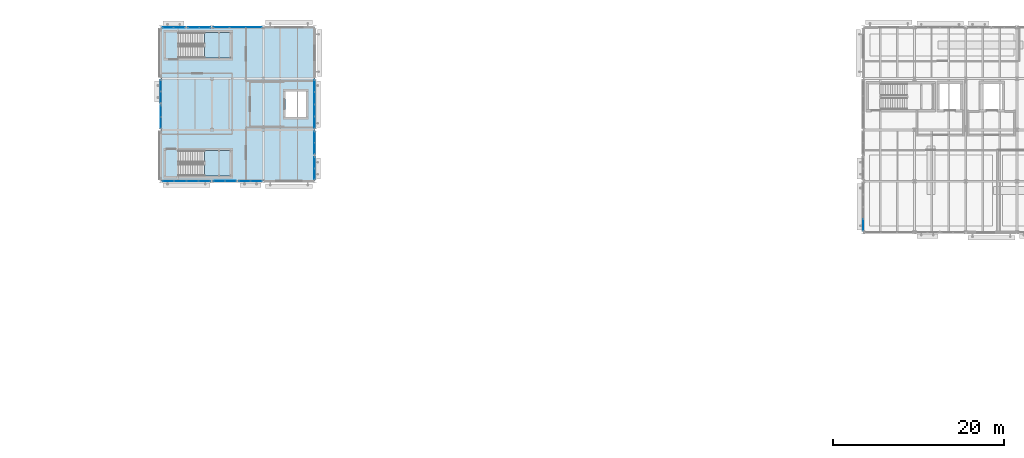
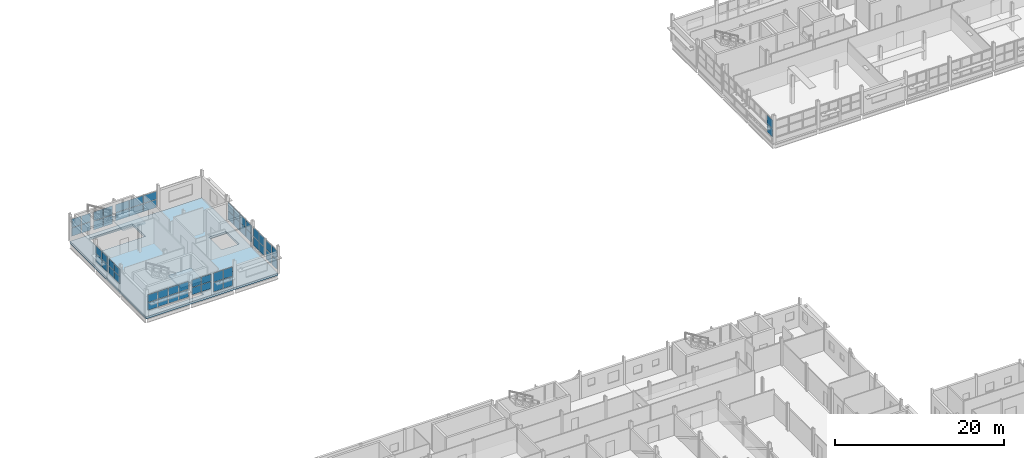
# One storey, part 48 of 92: 56 plates, 3 slabs, 14 elements without a shape of their own.
"""IFC4 building model written with IfcOpenShell, lengths in metres."""

from ifc_helpers import new_model, si_unit, direction, frame, origin, origin_2d, place, context, subcontext, project, spatial, polyline, rectangle, outline, extrude, material, layer, layer_set, type_object, element, aggregate, save


model = new_model("IFC4")

# Units and contexts
model_context = context("Model", 3, precision=1e-05, world=origin(), true_north=direction((0.0, 1.0)))
body_context = subcontext(model_context, "Body", "Model", "MODEL_VIEW")
ifc_project = project(units=[si_unit("LENGTHUNIT", "METRE"), si_unit("AREAUNIT", "SQUARE_METRE"), si_unit("VOLUMEUNIT", "CUBIC_METRE"), si_unit("PLANEANGLEUNIT", "RADIAN"), si_unit("MASSUNIT", "GRAM", prefix="KILO")], contexts=[model_context])

# Site, building, storey
site_placement = place(None, origin())
site = spatial("IfcSite", under=ifc_project, at=site_placement, CompositionType="ELEMENT")
building_placement = place(site_placement, origin())
building = spatial("IfcBuilding", under=site, at=building_placement, Name="Siltcreek Boulevard Central Fire Station", CompositionType="ELEMENT")
storey_placement = place(building_placement, frame((0.0, 0.0, 6.0)))
storey = spatial("IfcBuildingStorey", under=building, at=storey_placement, Name="L02", CompositionType="ELEMENT", Elevation=6.0)

# Curtain wall, plates
ifc_material_1 = material(Name="Anodized aluminum and low-E insulated glazing", Category="aluminium")
curtain_wall_type_1 = type_object("IfcCurtainWallType", Name="CW_SYS_07", PredefinedType="USERDEFINED", material=ifc_material_1)
curtain_wall_1_placement = place(storey_placement, origin())
curtain_wall_1 = element("IfcCurtainWall", 1, at=curtain_wall_1_placement, inside=storey, type_object=curtain_wall_type_1, Name="L02 V3 unitised curtain wall CW-036", ObjectType="CURTAIN WALL", PredefinedType="USERDEFINED")
ifc_material_2 = material(Name="Low-E double insulated glass unit", Category="glass")
ifc_layer_1 = layer(ifc_material_2, 0.028076171875, Name="Low-E double insulated glass unit")
ifc_layer_set_1 = layer_set([ifc_layer_1], Name="Low-E double insulated glass unit")
plate_type_1 = type_object("IfcPlateType", Name="CWP_GLZ_1", PredefinedType="CURTAIN_PANEL", material=ifc_layer_set_1)
plate_1_placement = place(storey_placement, frame((51.8349609375, 94.199951171875, 0.384765625), z_axis=(0.0, 0.0, 1.0), x_axis=(1.0, 0.0, 0.0)))
plate_1 = element("IfcPlate", 2, at=plate_1_placement, type_object=plate_type_1, Name="CW-036 panel 1.1", PredefinedType="CURTAIN_PANEL", context=body_context, shape_type="SweptSolid", body=[
    extrude(rectangle(XDim=1.260009765625, YDim=0.028076171875, at=origin_2d()), origin(), (0.0, 0.0, 1.0), 1.319091796875),
])
plate_2_placement = place(storey_placement, frame((51.8349609375, 94.199951171875, 1.76904296875), z_axis=(0.0, 0.0, 1.0), x_axis=(1.0, 0.0, 0.0)))
plate_2 = element("IfcPlate", 3, at=plate_2_placement, type_object=plate_type_1, Name="CW-036 panel 1.2", PredefinedType="CURTAIN_PANEL", context=body_context, shape_type="SweptSolid", body=[
    extrude(rectangle(XDim=1.260009765625, YDim=0.028076171875, at=origin_2d()), origin(), (0.0, 0.0, 1.0), 1.319091796875),
])
plate_3_placement = place(storey_placement, frame((53.159912109375, 94.199951171875, 0.384765625), z_axis=(0.0, 0.0, 1.0), x_axis=(1.0, 0.0, 0.0)))
plate_3 = element("IfcPlate", 4, at=plate_3_placement, type_object=plate_type_1, Name="CW-036 panel 2.1", PredefinedType="CURTAIN_PANEL", context=body_context, shape_type="SweptSolid", body=[
    extrude(rectangle(XDim=1.260009765625, YDim=0.028076171875, at=origin_2d()), origin(), (0.0, 0.0, 1.0), 1.319091796875),
])
plate_4_placement = place(storey_placement, frame((53.159912109375, 94.199951171875, 1.76904296875), z_axis=(0.0, 0.0, 1.0), x_axis=(1.0, 0.0, 0.0)))
plate_4 = element("IfcPlate", 5, at=plate_4_placement, type_object=plate_type_1, Name="CW-036 panel 2.2", PredefinedType="CURTAIN_PANEL", context=body_context, shape_type="SweptSolid", body=[
    extrude(rectangle(XDim=1.260009765625, YDim=0.028076171875, at=origin_2d()), origin(), (0.0, 0.0, 1.0), 1.319091796875),
])
aggregate(curtain_wall_1, [plate_1, plate_2, plate_3, plate_4])

curtain_wall_type_2 = type_object("IfcCurtainWallType", Name="CW_SYS_10", PredefinedType="USERDEFINED", material=ifc_material_1)
curtain_wall_2_placement = place(storey_placement, origin())
curtain_wall_2 = element("IfcCurtainWall", 6, at=curtain_wall_2_placement, inside=storey, type_object=curtain_wall_type_2, Name="L02 V3 unitised curtain wall CW-039", ObjectType="CURTAIN WALL", PredefinedType="USERDEFINED")
plate_5_placement = place(storey_placement, frame((52.888427734375, 112.199951171875, 0.739990234375), z_axis=(0.0, 0.0, 1.0), x_axis=(-1.0, 0.0, 0.0)))
plate_5 = element("IfcPlate", 7, at=plate_5_placement, type_object=plate_type_1, Name="CW-039 panel 1.1", PredefinedType="CURTAIN_PANEL", context=body_context, shape_type="SweptSolid", body=[
    extrude(rectangle(XDim=1.813232421875, YDim=0.028076171875, at=origin_2d()), origin(), (0.0, 0.0, 1.0), 1.146484375),
])
plate_6_placement = place(storey_placement, frame((52.888427734375, 112.199951171875, 1.946533203125), z_axis=(0.0, 0.0, 1.0), x_axis=(-1.0, 0.0, 0.0)))
plate_6 = element("IfcPlate", 8, at=plate_6_placement, type_object=plate_type_1, Name="CW-039 panel 1.2", PredefinedType="CURTAIN_PANEL", context=body_context, shape_type="SweptSolid", body=[
    extrude(rectangle(XDim=1.813232421875, YDim=0.028076171875, at=origin_2d()), origin(), (0.0, 0.0, 1.0), 1.146484375),
])
plate_7_placement = place(storey_placement, frame((51.0, 112.199951171875, 0.739990234375), z_axis=(0.0, 0.0, 1.0), x_axis=(-1.0, 0.0, 0.0)))
plate_7 = element("IfcPlate", 9, at=plate_7_placement, type_object=plate_type_1, Name="CW-039 panel 2.1", PredefinedType="CURTAIN_PANEL", context=body_context, shape_type="SweptSolid", body=[
    extrude(rectangle(XDim=1.84326171875, YDim=0.028076171875, at=origin_2d()), origin(), (0.0, 0.0, 1.0), 1.146484375),
])
plate_8_placement = place(storey_placement, frame((51.0, 112.199951171875, 1.946533203125), z_axis=(0.0, 0.0, 1.0), x_axis=(-1.0, 0.0, 0.0)))
plate_8 = element("IfcPlate", 10, at=plate_8_placement, type_object=plate_type_1, Name="CW-039 panel 2.2", PredefinedType="CURTAIN_PANEL", context=body_context, shape_type="SweptSolid", body=[
    extrude(rectangle(XDim=1.84326171875, YDim=0.028076171875, at=origin_2d()), origin(), (0.0, 0.0, 1.0), 1.146484375),
])
plate_9_placement = place(storey_placement, frame((49.111572265625, 112.199951171875, 0.739990234375), z_axis=(0.0, 0.0, 1.0), x_axis=(-1.0, 0.0, 0.0)))
plate_9 = element("IfcPlate", 11, at=plate_9_placement, type_object=plate_type_1, Name="CW-039 panel 3.1", PredefinedType="CURTAIN_PANEL", context=body_context, shape_type="SweptSolid", body=[
    extrude(rectangle(XDim=1.813232421875, YDim=0.028076171875, at=origin_2d()), origin(), (0.0, 0.0, 1.0), 1.146484375),
])
plate_10_placement = place(storey_placement, frame((49.111572265625, 112.199951171875, 1.946533203125), z_axis=(0.0, 0.0, 1.0), x_axis=(-1.0, 0.0, 0.0)))
plate_10 = element("IfcPlate", 12, at=plate_10_placement, type_object=plate_type_1, Name="CW-039 panel 3.2", PredefinedType="CURTAIN_PANEL", context=body_context, shape_type="SweptSolid", body=[
    extrude(rectangle(XDim=1.813232421875, YDim=0.028076171875, at=origin_2d()), origin(), (0.0, 0.0, 1.0), 1.146484375),
])
aggregate(curtain_wall_2, [plate_5, plate_6, plate_7, plate_8, plate_9, plate_10])

curtain_wall_type_3 = type_object("IfcCurtainWallType", Name="CW_SYS_13", PredefinedType="USERDEFINED", material=ifc_material_1)
curtain_wall_3_placement = place(storey_placement, origin())
curtain_wall_3 = element("IfcCurtainWall", 13, at=curtain_wall_3_placement, inside=storey, type_object=curtain_wall_type_3, Name="L02 V3 unitised curtain wall CW-042", ObjectType="CURTAIN WALL", PredefinedType="USERDEFINED")
plate_11_placement = place(storey_placement, frame((60.0, 95.0400390625, 0.384765625), z_axis=(0.0, 0.0, 1.0), x_axis=(0.0, 1.0, 0.0)))
plate_11 = element("IfcPlate", 14, at=plate_11_placement, type_object=plate_type_1, Name="CW-042 panel 1.1", PredefinedType="CURTAIN_PANEL", context=body_context, shape_type="SweptSolid", body=[
    extrude(rectangle(XDim=1.260009765625, YDim=0.028076171875, at=origin_2d()), origin(), (0.0, 0.0, 1.0), 1.321044921875),
])
plate_12_placement = place(storey_placement, frame((60.0, 95.0400390625, 1.77099609375), z_axis=(0.0, 0.0, 1.0), x_axis=(0.0, 1.0, 0.0)))
plate_12 = element("IfcPlate", 15, at=plate_12_placement, type_object=plate_type_1, Name="CW-042 panel 1.2", PredefinedType="CURTAIN_PANEL", context=body_context, shape_type="SweptSolid", body=[
    extrude(rectangle(XDim=1.260009765625, YDim=0.028076171875, at=origin_2d()), origin(), (0.0, 0.0, 1.0), 1.321044921875),
])
plate_13_placement = place(storey_placement, frame((60.0, 96.364990234375, 0.384765625), z_axis=(0.0, 0.0, 1.0), x_axis=(0.0, 1.0, 0.0)))
plate_13 = element("IfcPlate", 16, at=plate_13_placement, type_object=plate_type_1, Name="CW-042 panel 2.1", PredefinedType="CURTAIN_PANEL", context=body_context, shape_type="SweptSolid", body=[
    extrude(rectangle(XDim=1.260009765625, YDim=0.028076171875, at=origin_2d()), origin(), (0.0, 0.0, 1.0), 1.321044921875),
])
plate_14_placement = place(storey_placement, frame((60.0, 96.364990234375, 1.77099609375), z_axis=(0.0, 0.0, 1.0), x_axis=(0.0, 1.0, 0.0)))
plate_14 = element("IfcPlate", 17, at=plate_14_placement, type_object=plate_type_1, Name="CW-042 panel 2.2", PredefinedType="CURTAIN_PANEL", context=body_context, shape_type="SweptSolid", body=[
    extrude(rectangle(XDim=1.260009765625, YDim=0.028076171875, at=origin_2d()), origin(), (0.0, 0.0, 1.0), 1.321044921875),
])
aggregate(curtain_wall_3, [plate_11, plate_12, plate_13, plate_14])

curtain_wall_type_4 = type_object("IfcCurtainWallType", Name="CW_SYS_05", PredefinedType="USERDEFINED", material=ifc_material_1)
curtain_wall_4_placement = place(storey_placement, origin())
curtain_wall_4 = element("IfcCurtainWall", 18, at=curtain_wall_4_placement, inside=storey, type_object=curtain_wall_type_4, Name="L02 V3 unitised curtain wall CW-034", ObjectType="CURTAIN WALL", PredefinedType="USERDEFINED")
ifc_layer_2 = layer(ifc_material_2, 0.0380859375, Name="Low-E double insulated glass unit")
ifc_layer_set_2 = layer_set([ifc_layer_2], Name="Low-E double insulated glass unit")
plate_type_2 = type_object("IfcPlateType", Name="CWP_GLZ_2", PredefinedType="CURTAIN_PANEL", material=ifc_layer_set_2)
plate_15_placement = place(storey_placement, frame((42.875, 94.199951171875, 0.864990234375), z_axis=(0.0, 0.0, 1.0), x_axis=(1.0, 0.0, 0.0)))
plate_15 = element("IfcPlate", 19, at=plate_15_placement, type_object=plate_type_2, Name="CW-034 panel 1.1", PredefinedType="CURTAIN_PANEL", context=body_context, shape_type="SweptSolid", body=[
    extrude(rectangle(XDim=1.330078125, YDim=0.0380859375, at=origin_2d()), origin(), (0.0, 0.0, 1.0), 1.0791015625),
])
plate_16_placement = place(storey_placement, frame((42.875, 94.199951171875, 2.009033203125), z_axis=(0.0, 0.0, 1.0), x_axis=(1.0, 0.0, 0.0)))
plate_16 = element("IfcPlate", 20, at=plate_16_placement, type_object=plate_type_2, Name="CW-034 panel 1.2", PredefinedType="CURTAIN_PANEL", context=body_context, shape_type="SweptSolid", body=[
    extrude(rectangle(XDim=1.330078125, YDim=0.0380859375, at=origin_2d()), origin(), (0.0, 0.0, 1.0), 1.0791015625),
])
plate_17_placement = place(storey_placement, frame((44.2861328125, 94.199951171875, 0.864990234375), z_axis=(0.0, 0.0, 1.0), x_axis=(1.0, 0.0, 0.0)))
plate_17 = element("IfcPlate", 21, at=plate_17_placement, type_object=plate_type_2, Name="CW-034 panel 2.1", PredefinedType="CURTAIN_PANEL", context=body_context, shape_type="SweptSolid", body=[
    extrude(rectangle(XDim=1.362548828125, YDim=0.0380859375, at=origin_2d()), origin(), (0.0, 0.0, 1.0), 1.0791015625),
])
plate_18_placement = place(storey_placement, frame((44.2861328125, 94.199951171875, 2.009033203125), z_axis=(0.0, 0.0, 1.0), x_axis=(1.0, 0.0, 0.0)))
plate_18 = element("IfcPlate", 22, at=plate_18_placement, type_object=plate_type_2, Name="CW-034 panel 2.2", PredefinedType="CURTAIN_PANEL", context=body_context, shape_type="SweptSolid", body=[
    extrude(rectangle(XDim=1.362548828125, YDim=0.0380859375, at=origin_2d()), origin(), (0.0, 0.0, 1.0), 1.0791015625),
])
plate_19_placement = place(storey_placement, frame((45.7138671875, 94.199951171875, 0.864990234375), z_axis=(0.0, 0.0, 1.0), x_axis=(1.0, 0.0, 0.0)))
plate_19 = element("IfcPlate", 23, at=plate_19_placement, type_object=plate_type_2, Name="CW-034 panel 3.1", PredefinedType="CURTAIN_PANEL", context=body_context, shape_type="SweptSolid", body=[
    extrude(rectangle(XDim=1.362548828125, YDim=0.0380859375, at=origin_2d()), origin(), (0.0, 0.0, 1.0), 1.0791015625),
])
plate_20_placement = place(storey_placement, frame((45.7138671875, 94.199951171875, 2.009033203125), z_axis=(0.0, 0.0, 1.0), x_axis=(1.0, 0.0, 0.0)))
plate_20 = element("IfcPlate", 24, at=plate_20_placement, type_object=plate_type_2, Name="CW-034 panel 3.2", PredefinedType="CURTAIN_PANEL", context=body_context, shape_type="SweptSolid", body=[
    extrude(rectangle(XDim=1.362548828125, YDim=0.0380859375, at=origin_2d()), origin(), (0.0, 0.0, 1.0), 1.0791015625),
])
plate_21_placement = place(storey_placement, frame((47.125, 94.199951171875, 0.864990234375), z_axis=(0.0, 0.0, 1.0), x_axis=(1.0, 0.0, 0.0)))
plate_21 = element("IfcPlate", 25, at=plate_21_placement, type_object=plate_type_2, Name="CW-034 panel 4.1", PredefinedType="CURTAIN_PANEL", context=body_context, shape_type="SweptSolid", body=[
    extrude(rectangle(XDim=1.330078125, YDim=0.0380859375, at=origin_2d()), origin(), (0.0, 0.0, 1.0), 1.0791015625),
])
plate_22_placement = place(storey_placement, frame((47.125, 94.199951171875, 2.009033203125), z_axis=(0.0, 0.0, 1.0), x_axis=(1.0, 0.0, 0.0)))
plate_22 = element("IfcPlate", 26, at=plate_22_placement, type_object=plate_type_2, Name="CW-034 panel 4.2", PredefinedType="CURTAIN_PANEL", context=body_context, shape_type="SweptSolid", body=[
    extrude(rectangle(XDim=1.330078125, YDim=0.0380859375, at=origin_2d()), origin(), (0.0, 0.0, 1.0), 1.0791015625),
])
aggregate(curtain_wall_4, [plate_15, plate_16, plate_17, plate_18, plate_19, plate_20, plate_21, plate_22])

curtain_wall_type_5 = type_object("IfcCurtainWallType", Name="CW_SYS_08", PredefinedType="USERDEFINED", material=ifc_material_1)
curtain_wall_5_placement = place(storey_placement, origin())
curtain_wall_5 = element("IfcCurtainWall", 27, at=curtain_wall_5_placement, inside=storey, type_object=curtain_wall_type_5, Name="L02 V3 unitised curtain wall CW-037", ObjectType="CURTAIN WALL", PredefinedType="USERDEFINED")
plate_23_placement = place(storey_placement, frame((47.1611328125, 112.199951171875, 0.5), z_axis=(0.0, 0.0, 1.0), x_axis=(-1.0, 0.0, 0.0)))
plate_23 = element("IfcPlate", 28, at=plate_23_placement, type_object=plate_type_2, Name="CW-037 panel 1.1", PredefinedType="CURTAIN_PANEL", context=body_context, shape_type="SweptSolid", body=[
    extrude(rectangle(XDim=1.267578125, YDim=0.0380859375, at=origin_2d()), origin(), (0.0, 0.0, 1.0), 1.2666015625),
])
plate_24_placement = place(storey_placement, frame((47.1611328125, 112.199951171875, 1.826416015625), z_axis=(0.0, 0.0, 1.0), x_axis=(-1.0, 0.0, 0.0)))
plate_24 = element("IfcPlate", 29, at=plate_24_placement, type_object=plate_type_2, Name="CW-037 panel 1.2", PredefinedType="CURTAIN_PANEL", context=body_context, shape_type="SweptSolid", body=[
    extrude(rectangle(XDim=1.267578125, YDim=0.0380859375, at=origin_2d()), origin(), (0.0, 0.0, 1.0), 1.2666015625),
])
plate_25_placement = place(storey_placement, frame((45.833740234375, 112.199951171875, 0.5), z_axis=(0.0, 0.0, 1.0), x_axis=(-1.0, 0.0, 0.0)))
plate_25 = element("IfcPlate", 30, at=plate_25_placement, type_object=plate_type_2, Name="CW-037 panel 2.1", PredefinedType="CURTAIN_PANEL", context=body_context, shape_type="SweptSolid", body=[
    extrude(rectangle(XDim=1.267578125, YDim=0.0380859375, at=origin_2d()), origin(), (0.0, 0.0, 1.0), 1.2666015625),
])
plate_26_placement = place(storey_placement, frame((45.833740234375, 112.199951171875, 1.826416015625), z_axis=(0.0, 0.0, 1.0), x_axis=(-1.0, 0.0, 0.0)))
plate_26 = element("IfcPlate", 31, at=plate_26_placement, type_object=plate_type_2, Name="CW-037 panel 2.2", PredefinedType="CURTAIN_PANEL", context=body_context, shape_type="SweptSolid", body=[
    extrude(rectangle(XDim=1.267578125, YDim=0.0380859375, at=origin_2d()), origin(), (0.0, 0.0, 1.0), 1.2666015625),
])
aggregate(curtain_wall_5, [plate_23, plate_24, plate_25, plate_26])

curtain_wall_type_6 = type_object("IfcCurtainWallType", Name="CW_SYS_11", PredefinedType="USERDEFINED", material=ifc_material_1)
curtain_wall_6_placement = place(storey_placement, origin())
curtain_wall_6 = element("IfcCurtainWall", 32, at=curtain_wall_6_placement, inside=storey, type_object=curtain_wall_type_6, Name="L02 V3 unitised curtain wall CW-040", ObjectType="CURTAIN WALL", PredefinedType="USERDEFINED")
plate_27_placement = place(storey_placement, frame((42.0, 105.360107421875, 0.864990234375), z_axis=(0.0, 0.0, 1.0), x_axis=(0.0, -1.0, 0.0)))
plate_27 = element("IfcPlate", 33, at=plate_27_placement, type_object=plate_type_2, Name="CW-040 panel 1.1", PredefinedType="CURTAIN_PANEL", context=body_context, shape_type="SweptSolid", body=[
    extrude(rectangle(XDim=1.260009765625, YDim=0.0380859375, at=origin_2d()), origin(), (0.0, 0.0, 1.0), 1.0810546875),
])
plate_28_placement = place(storey_placement, frame((42.0, 105.360107421875, 2.010986328125), z_axis=(0.0, 0.0, 1.0), x_axis=(0.0, -1.0, 0.0)))
plate_28 = element("IfcPlate", 34, at=plate_28_placement, type_object=plate_type_2, Name="CW-040 panel 1.2", PredefinedType="CURTAIN_PANEL", context=body_context, shape_type="SweptSolid", body=[
    extrude(rectangle(XDim=1.260009765625, YDim=0.0380859375, at=origin_2d()), origin(), (0.0, 0.0, 1.0), 1.0810546875),
])
plate_29_placement = place(storey_placement, frame((42.0, 104.034912109375, 0.864990234375), z_axis=(0.0, 0.0, 1.0), x_axis=(0.0, -1.0, 0.0)))
plate_29 = element("IfcPlate", 35, at=plate_29_placement, type_object=plate_type_2, Name="CW-040 panel 2.1", PredefinedType="CURTAIN_PANEL", context=body_context, shape_type="SweptSolid", body=[
    extrude(rectangle(XDim=1.260009765625, YDim=0.0380859375, at=origin_2d()), origin(), (0.0, 0.0, 1.0), 1.0810546875),
])
plate_30_placement = place(storey_placement, frame((42.0, 104.034912109375, 2.010986328125), z_axis=(0.0, 0.0, 1.0), x_axis=(0.0, -1.0, 0.0)))
plate_30 = element("IfcPlate", 36, at=plate_30_placement, type_object=plate_type_2, Name="CW-040 panel 2.2", PredefinedType="CURTAIN_PANEL", context=body_context, shape_type="SweptSolid", body=[
    extrude(rectangle(XDim=1.260009765625, YDim=0.0380859375, at=origin_2d()), origin(), (0.0, 0.0, 1.0), 1.0810546875),
])
aggregate(curtain_wall_6, [plate_27, plate_28, plate_29, plate_30])

curtain_wall_type_7 = type_object("IfcCurtainWallType", Name="CW_SYS_14", PredefinedType="USERDEFINED", material=ifc_material_1)
curtain_wall_7_placement = place(storey_placement, origin())
curtain_wall_7 = element("IfcCurtainWall", 37, at=curtain_wall_7_placement, inside=storey, type_object=curtain_wall_type_7, Name="L02 V3 unitised curtain wall CW-043", ObjectType="CURTAIN WALL", PredefinedType="USERDEFINED")
plate_31_placement = place(storey_placement, frame((60.0, 98.03369140625, 0.5), z_axis=(0.0, 0.0, 1.0), x_axis=(0.0, 1.0, 0.0)))
plate_31 = element("IfcPlate", 38, at=plate_31_placement, type_object=plate_type_2, Name="CW-043 panel 1.1", PredefinedType="CURTAIN_PANEL", context=body_context, shape_type="SweptSolid", body=[
    extrude(rectangle(XDim=1.267578125, YDim=0.0380859375, at=origin_2d()), origin(), (0.0, 0.0, 1.0), 1.2685546875),
])
plate_32_placement = place(storey_placement, frame((60.0, 98.03369140625, 1.828369140625), z_axis=(0.0, 0.0, 1.0), x_axis=(0.0, 1.0, 0.0)))
plate_32 = element("IfcPlate", 39, at=plate_32_placement, type_object=plate_type_2, Name="CW-043 panel 1.2", PredefinedType="CURTAIN_PANEL", context=body_context, shape_type="SweptSolid", body=[
    extrude(rectangle(XDim=1.267578125, YDim=0.0380859375, at=origin_2d()), origin(), (0.0, 0.0, 1.0), 1.2685546875),
])
plate_33_placement = place(storey_placement, frame((60.0, 99.361328125, 0.5), z_axis=(0.0, 0.0, 1.0), x_axis=(0.0, 1.0, 0.0)))
plate_33 = element("IfcPlate", 40, at=plate_33_placement, type_object=plate_type_2, Name="CW-043 panel 2.1", PredefinedType="CURTAIN_PANEL", context=body_context, shape_type="SweptSolid", body=[
    extrude(rectangle(XDim=1.267578125, YDim=0.0380859375, at=origin_2d()), origin(), (0.0, 0.0, 1.0), 1.2685546875),
])
plate_34_placement = place(storey_placement, frame((60.0, 99.361328125, 1.828369140625), z_axis=(0.0, 0.0, 1.0), x_axis=(0.0, 1.0, 0.0)))
plate_34 = element("IfcPlate", 41, at=plate_34_placement, type_object=plate_type_2, Name="CW-043 panel 2.2", PredefinedType="CURTAIN_PANEL", context=body_context, shape_type="SweptSolid", body=[
    extrude(rectangle(XDim=1.267578125, YDim=0.0380859375, at=origin_2d()), origin(), (0.0, 0.0, 1.0), 1.2685546875),
])
aggregate(curtain_wall_7, [plate_31, plate_32, plate_33, plate_34])

curtain_wall_type_8 = type_object("IfcCurtainWallType", Name="CW_SYS_06", PredefinedType="USERDEFINED", material=ifc_material_1)
curtain_wall_8_placement = place(storey_placement, origin())
curtain_wall_8 = element("IfcCurtainWall", 42, at=curtain_wall_8_placement, inside=storey, type_object=curtain_wall_type_8, Name="L02 V3 unitised curtain wall CW-035", ObjectType="CURTAIN WALL", PredefinedType="USERDEFINED")
ifc_layer_3 = layer(ifc_material_2, 0.048095703125, Name="Low-E double insulated glass unit")
ifc_layer_set_3 = layer_set([ifc_layer_3], Name="Low-E double insulated glass unit")
plate_type_3 = type_object("IfcPlateType", Name="CWP_GLZ_3", PredefinedType="CURTAIN_PANEL", material=ifc_layer_set_3)
plate_35_placement = place(storey_placement, frame((48.8388671875, 94.199951171875, 0.97998046875), z_axis=(0.0, 0.0, 1.0), x_axis=(1.0, 0.0, 0.0)))
plate_35 = element("IfcPlate", 43, at=plate_35_placement, type_object=plate_type_3, Name="CW-035 panel 1.1", PredefinedType="CURTAIN_PANEL", context=body_context, shape_type="SweptSolid", body=[
    extrude(rectangle(XDim=1.267578125, YDim=0.048095703125, at=origin_2d()), origin(), (0.0, 0.0, 1.0), 1.026611328125),
])
plate_36_placement = place(storey_placement, frame((48.8388671875, 94.199951171875, 2.06640625), z_axis=(0.0, 0.0, 1.0), x_axis=(1.0, 0.0, 0.0)))
plate_36 = element("IfcPlate", 44, at=plate_36_placement, type_object=plate_type_3, Name="CW-035 panel 1.2", PredefinedType="CURTAIN_PANEL", context=body_context, shape_type="SweptSolid", body=[
    extrude(rectangle(XDim=1.267578125, YDim=0.048095703125, at=origin_2d()), origin(), (0.0, 0.0, 1.0), 1.026611328125),
])
plate_37_placement = place(storey_placement, frame((50.166259765625, 94.199951171875, 0.97998046875), z_axis=(0.0, 0.0, 1.0), x_axis=(1.0, 0.0, 0.0)))
plate_37 = element("IfcPlate", 45, at=plate_37_placement, type_object=plate_type_3, Name="CW-035 panel 2.1", PredefinedType="CURTAIN_PANEL", context=body_context, shape_type="SweptSolid", body=[
    extrude(rectangle(XDim=1.267578125, YDim=0.048095703125, at=origin_2d()), origin(), (0.0, 0.0, 1.0), 1.026611328125),
])
plate_38_placement = place(storey_placement, frame((50.166259765625, 94.199951171875, 2.06640625), z_axis=(0.0, 0.0, 1.0), x_axis=(1.0, 0.0, 0.0)))
plate_38 = element("IfcPlate", 46, at=plate_38_placement, type_object=plate_type_3, Name="CW-035 panel 2.2", PredefinedType="CURTAIN_PANEL", context=body_context, shape_type="SweptSolid", body=[
    extrude(rectangle(XDim=1.267578125, YDim=0.048095703125, at=origin_2d()), origin(), (0.0, 0.0, 1.0), 1.026611328125),
])
aggregate(curtain_wall_8, [plate_35, plate_36, plate_37, plate_38])

curtain_wall_type_9 = type_object("IfcCurtainWallType", Name="CW_SYS_09", PredefinedType="USERDEFINED", material=ifc_material_1)
curtain_wall_9_placement = place(storey_placement, origin())
curtain_wall_9 = element("IfcCurtainWall", 47, at=curtain_wall_9_placement, inside=storey, type_object=curtain_wall_type_9, Name="L02 V3 unitised curtain wall CW-038", ObjectType="CURTAIN WALL", PredefinedType="USERDEFINED")
plate_39_placement = place(storey_placement, frame((44.1650390625, 112.199951171875, 0.625), z_axis=(0.0, 0.0, 1.0), x_axis=(-1.0, 0.0, 0.0)))
plate_39 = element("IfcPlate", 48, at=plate_39_placement, type_object=plate_type_3, Name="CW-038 panel 1.1", PredefinedType="CURTAIN_PANEL", context=body_context, shape_type="SweptSolid", body=[
    extrude(rectangle(XDim=1.260009765625, YDim=0.048095703125, at=origin_2d()), origin(), (0.0, 0.0, 1.0), 1.198974609375),
])
plate_40_placement = place(storey_placement, frame((44.1650390625, 112.199951171875, 1.88916015625), z_axis=(0.0, 0.0, 1.0), x_axis=(-1.0, 0.0, 0.0)))
plate_40 = element("IfcPlate", 49, at=plate_40_placement, type_object=plate_type_3, Name="CW-038 panel 1.2", PredefinedType="CURTAIN_PANEL", context=body_context, shape_type="SweptSolid", body=[
    extrude(rectangle(XDim=1.260009765625, YDim=0.048095703125, at=origin_2d()), origin(), (0.0, 0.0, 1.0), 1.198974609375),
])
plate_41_placement = place(storey_placement, frame((42.840087890625, 112.199951171875, 0.625), z_axis=(0.0, 0.0, 1.0), x_axis=(-1.0, 0.0, 0.0)))
plate_41 = element("IfcPlate", 50, at=plate_41_placement, type_object=plate_type_3, Name="CW-038 panel 2.1", PredefinedType="CURTAIN_PANEL", context=body_context, shape_type="SweptSolid", body=[
    extrude(rectangle(XDim=1.260009765625, YDim=0.048095703125, at=origin_2d()), origin(), (0.0, 0.0, 1.0), 1.198974609375),
])
plate_42_placement = place(storey_placement, frame((42.840087890625, 112.199951171875, 1.88916015625), z_axis=(0.0, 0.0, 1.0), x_axis=(-1.0, 0.0, 0.0)))
plate_42 = element("IfcPlate", 51, at=plate_42_placement, type_object=plate_type_3, Name="CW-038 panel 2.2", PredefinedType="CURTAIN_PANEL", context=body_context, shape_type="SweptSolid", body=[
    extrude(rectangle(XDim=1.260009765625, YDim=0.048095703125, at=origin_2d()), origin(), (0.0, 0.0, 1.0), 1.198974609375),
])
aggregate(curtain_wall_9, [plate_39, plate_40, plate_41, plate_42])

curtain_wall_type_10 = type_object("IfcCurtainWallType", Name="CW_SYS_12", PredefinedType="USERDEFINED", material=ifc_material_1)
curtain_wall_10_placement = place(storey_placement, origin())
curtain_wall_10 = element("IfcCurtainWall", 52, at=curtain_wall_10_placement, inside=storey, type_object=curtain_wall_type_10, Name="L02 V3 unitised curtain wall CW-041", ObjectType="CURTAIN WALL", PredefinedType="USERDEFINED")
plate_43_placement = place(storey_placement, frame((42.0, 102.3662109375, 0.97998046875), z_axis=(0.0, 0.0, 1.0), x_axis=(0.0, -1.0, 0.0)))
plate_43 = element("IfcPlate", 53, at=plate_43_placement, type_object=plate_type_3, Name="CW-041 panel 1.1", PredefinedType="CURTAIN_PANEL", context=body_context, shape_type="SweptSolid", body=[
    extrude(rectangle(XDim=1.267578125, YDim=0.048095703125, at=origin_2d()), origin(), (0.0, 0.0, 1.0), 1.028564453125),
])
plate_44_placement = place(storey_placement, frame((42.0, 102.3662109375, 2.068359375), z_axis=(0.0, 0.0, 1.0), x_axis=(0.0, -1.0, 0.0)))
plate_44 = element("IfcPlate", 54, at=plate_44_placement, type_object=plate_type_3, Name="CW-041 panel 1.2", PredefinedType="CURTAIN_PANEL", context=body_context, shape_type="SweptSolid", body=[
    extrude(rectangle(XDim=1.267578125, YDim=0.048095703125, at=origin_2d()), origin(), (0.0, 0.0, 1.0), 1.028564453125),
])
plate_45_placement = place(storey_placement, frame((42.0, 101.038818359375, 0.97998046875), z_axis=(0.0, 0.0, 1.0), x_axis=(0.0, -1.0, 0.0)))
plate_45 = element("IfcPlate", 55, at=plate_45_placement, type_object=plate_type_3, Name="CW-041 panel 2.1", PredefinedType="CURTAIN_PANEL", context=body_context, shape_type="SweptSolid", body=[
    extrude(rectangle(XDim=1.267578125, YDim=0.048095703125, at=origin_2d()), origin(), (0.0, 0.0, 1.0), 1.028564453125),
])
plate_46_placement = place(storey_placement, frame((42.0, 101.038818359375, 2.068359375), z_axis=(0.0, 0.0, 1.0), x_axis=(0.0, -1.0, 0.0)))
plate_46 = element("IfcPlate", 56, at=plate_46_placement, type_object=plate_type_3, Name="CW-041 panel 2.2", PredefinedType="CURTAIN_PANEL", context=body_context, shape_type="SweptSolid", body=[
    extrude(rectangle(XDim=1.267578125, YDim=0.048095703125, at=origin_2d()), origin(), (0.0, 0.0, 1.0), 1.028564453125),
])
aggregate(curtain_wall_10, [plate_43, plate_44, plate_45, plate_46])

curtain_wall_type_11 = type_object("IfcCurtainWallType", Name="CW_SYS_15", PredefinedType="USERDEFINED", material=ifc_material_1)
curtain_wall_11_placement = place(storey_placement, origin())
curtain_wall_11 = element("IfcCurtainWall", 57, at=curtain_wall_11_placement, inside=storey, type_object=curtain_wall_type_11, Name="L02 V3 unitised curtain wall CW-044", ObjectType="CURTAIN WALL", PredefinedType="USERDEFINED")
plate_47_placement = place(storey_placement, frame((60.0, 101.074951171875, 0.625), z_axis=(0.0, 0.0, 1.0), x_axis=(0.0, 1.0, 0.0)))
plate_47 = element("IfcPlate", 58, at=plate_47_placement, type_object=plate_type_3, Name="CW-044 panel 1.1", PredefinedType="CURTAIN_PANEL", context=body_context, shape_type="SweptSolid", body=[
    extrude(rectangle(XDim=1.330078125, YDim=0.048095703125, at=origin_2d()), origin(), (0.0, 0.0, 1.0), 1.200927734375),
])
plate_48_placement = place(storey_placement, frame((60.0, 101.074951171875, 1.89111328125), z_axis=(0.0, 0.0, 1.0), x_axis=(0.0, 1.0, 0.0)))
plate_48 = element("IfcPlate", 59, at=plate_48_placement, type_object=plate_type_3, Name="CW-044 panel 1.2", PredefinedType="CURTAIN_PANEL", context=body_context, shape_type="SweptSolid", body=[
    extrude(rectangle(XDim=1.330078125, YDim=0.048095703125, at=origin_2d()), origin(), (0.0, 0.0, 1.0), 1.200927734375),
])
plate_49_placement = place(storey_placement, frame((60.0, 102.486328125, 0.625), z_axis=(0.0, 0.0, 1.0), x_axis=(0.0, 1.0, 0.0)))
plate_49 = element("IfcPlate", 60, at=plate_49_placement, type_object=plate_type_3, Name="CW-044 panel 2.1", PredefinedType="CURTAIN_PANEL", context=body_context, shape_type="SweptSolid", body=[
    extrude(rectangle(XDim=1.362548828125, YDim=0.048095703125, at=origin_2d()), origin(), (0.0, 0.0, 1.0), 1.200927734375),
])
plate_50_placement = place(storey_placement, frame((60.0, 102.486328125, 1.89111328125), z_axis=(0.0, 0.0, 1.0), x_axis=(0.0, 1.0, 0.0)))
plate_50 = element("IfcPlate", 61, at=plate_50_placement, type_object=plate_type_3, Name="CW-044 panel 2.2", PredefinedType="CURTAIN_PANEL", context=body_context, shape_type="SweptSolid", body=[
    extrude(rectangle(XDim=1.362548828125, YDim=0.048095703125, at=origin_2d()), origin(), (0.0, 0.0, 1.0), 1.200927734375),
])
plate_51_placement = place(storey_placement, frame((60.0, 103.913818359375, 0.625), z_axis=(0.0, 0.0, 1.0), x_axis=(0.0, 1.0, 0.0)))
plate_51 = element("IfcPlate", 62, at=plate_51_placement, type_object=plate_type_3, Name="CW-044 panel 3.1", PredefinedType="CURTAIN_PANEL", context=body_context, shape_type="SweptSolid", body=[
    extrude(rectangle(XDim=1.362548828125, YDim=0.048095703125, at=origin_2d()), origin(), (0.0, 0.0, 1.0), 1.200927734375),
])
plate_52_placement = place(storey_placement, frame((60.0, 103.913818359375, 1.89111328125), z_axis=(0.0, 0.0, 1.0), x_axis=(0.0, 1.0, 0.0)))
plate_52 = element("IfcPlate", 63, at=plate_52_placement, type_object=plate_type_3, Name="CW-044 panel 3.2", PredefinedType="CURTAIN_PANEL", context=body_context, shape_type="SweptSolid", body=[
    extrude(rectangle(XDim=1.362548828125, YDim=0.048095703125, at=origin_2d()), origin(), (0.0, 0.0, 1.0), 1.200927734375),
])
plate_53_placement = place(storey_placement, frame((60.0, 105.324951171875, 0.625), z_axis=(0.0, 0.0, 1.0), x_axis=(0.0, 1.0, 0.0)))
plate_53 = element("IfcPlate", 64, at=plate_53_placement, type_object=plate_type_3, Name="CW-044 panel 4.1", PredefinedType="CURTAIN_PANEL", context=body_context, shape_type="SweptSolid", body=[
    extrude(rectangle(XDim=1.330078125, YDim=0.048095703125, at=origin_2d()), origin(), (0.0, 0.0, 1.0), 1.200927734375),
])
plate_54_placement = place(storey_placement, frame((60.0, 105.324951171875, 1.89111328125), z_axis=(0.0, 0.0, 1.0), x_axis=(0.0, 1.0, 0.0)))
plate_54 = element("IfcPlate", 65, at=plate_54_placement, type_object=plate_type_3, Name="CW-044 panel 4.2", PredefinedType="CURTAIN_PANEL", context=body_context, shape_type="SweptSolid", body=[
    extrude(rectangle(XDim=1.330078125, YDim=0.048095703125, at=origin_2d()), origin(), (0.0, 0.0, 1.0), 1.200927734375),
])
aggregate(curtain_wall_11, [plate_47, plate_48, plate_49, plate_50, plate_51, plate_52, plate_53, plate_54])

curtain_wall_type_12 = type_object("IfcCurtainWallType", Name="CW_SYS_21", PredefinedType="USERDEFINED", material=ifc_material_1)
curtain_wall_12_placement = place(storey_placement, origin())
curtain_wall_12 = element("IfcCurtainWall", 66, at=curtain_wall_12_placement, inside=storey, type_object=curtain_wall_type_12, Name="L02 V5 unitised curtain wall CW-140", ObjectType="CURTAIN WALL", PredefinedType="USERDEFINED")
plate_55_placement = place(storey_placement, frame((124.199951171875, 89.074951171875, 0.625), z_axis=(0.0, 0.0, 1.0), x_axis=(0.0, -1.0, 0.0)))
plate_55 = element("IfcPlate", 67, at=plate_55_placement, type_object=plate_type_3, Name="CW-140 panel 4.1", PredefinedType="CURTAIN_PANEL", context=body_context, shape_type="SweptSolid", body=[
    extrude(rectangle(XDim=1.330078125, YDim=0.048095703125, at=origin_2d()), origin(), (0.0, 0.0, 1.0), 1.200927734375),
])
plate_56_placement = place(storey_placement, frame((124.199951171875, 89.074951171875, 1.89111328125), z_axis=(0.0, 0.0, 1.0), x_axis=(0.0, -1.0, 0.0)))
plate_56 = element("IfcPlate", 68, at=plate_56_placement, type_object=plate_type_3, Name="CW-140 panel 4.2", PredefinedType="CURTAIN_PANEL", context=body_context, shape_type="SweptSolid", body=[
    extrude(rectangle(XDim=1.330078125, YDim=0.048095703125, at=origin_2d()), origin(), (0.0, 0.0, 1.0), 1.200927734375),
])
aggregate(curtain_wall_12, [plate_55, plate_56])

# Slab
ifc_material_3 = material(Name="Concrete C35/45", Category="concrete")
ifc_layer_4 = layer(ifc_material_3, 0.320068359375, Name="Concrete C35/45")
ifc_layer_set_4 = layer_set([ifc_layer_4], Name="Concrete C35/45")
slab_type_1 = type_object("IfcSlabType", Name="SL_FLR320", PredefinedType="FLOOR", material=ifc_layer_set_4)
slab_1_placement = place(storey_placement, frame((0.0, 0.0, -0.320068359375)))
element("IfcSlab", 69, at=slab_1_placement, inside=storey, type_object=slab_type_1, Name="L02 V3 structural floor slab SL-025", PredefinedType="FLOOR", context=body_context, shape_type="SweptSolid", body=[
    extrude(outline(polyline([(42.0, 112.199951171875), (60.0, 112.199951171875), (60.0, 94.199951171875), (42.0, 94.199951171875), (42.0, 112.199951171875)]), holes=[polyline([(50.199951171875, 94.800048828125), (50.199951171875, 97.800048828125), (44.159912109375, 97.800048828125), (44.159912109375, 94.800048828125), (50.199951171875, 94.800048828125)]), polyline([(56.60009765625, 101.699951171875), (59.0, 101.699951171875), (59.0, 104.699951171875), (56.60009765625, 104.699951171875), (56.60009765625, 101.699951171875)]), polyline([(44.159912109375, 108.60009765625), (50.199951171875, 108.60009765625), (50.199951171875, 111.60009765625), (44.159912109375, 111.60009765625), (44.159912109375, 108.60009765625)])]), origin(), (0.0, 0.0, 1.0), 0.320068359375),
])

# Stair, slab
ifc_material_4 = material(Name="Precast concrete C40/50", Category="concrete")
stair_type = type_object("IfcStairType", Name="ST_DOG_H40", PredefinedType="HALF_TURN_STAIR", material=ifc_material_4)
stair_1_placement = place(storey_placement, origin())
stair_1 = element("IfcStair", 70, at=stair_1_placement, inside=storey, type_object=stair_type, Name="L02 Enclosed exit stairway ST-V3A", PredefinedType="HALF_TURN_STAIR")
ifc_layer_5 = layer(ifc_material_4, 0.199951171875, Name="Precast concrete C40/50")
ifc_layer_set_5 = layer_set([ifc_layer_5], Name="Precast concrete C40/50")
slab_type_2 = type_object("IfcSlabType", Name="SL_LAND200", PredefinedType="LANDING", material=ifc_layer_set_5)
slab_2_placement = place(storey_placement, frame((0.0, 0.0, 1.800048828125)))
slab_2 = element("IfcSlab", 71, at=slab_2_placement, type_object=slab_type_2, Name="ST-V3A landing 1", PredefinedType="LANDING", context=body_context, shape_type="SweptSolid", body=[
    extrude(outline(polyline([(47.1298828125, 94.800048828125), (50.199951171875, 94.800048828125), (50.199951171875, 97.800048828125), (47.1298828125, 97.800048828125), (47.1298828125, 94.800048828125)])), origin(), (0.0, 0.0, 1.0), 0.199951171875),
])
aggregate(stair_1, [slab_2])

stair_2_placement = place(storey_placement, origin())
stair_2 = element("IfcStair", 72, at=stair_2_placement, inside=storey, type_object=stair_type, Name="L02 Enclosed exit stairway ST-V3B", PredefinedType="HALF_TURN_STAIR")
slab_3_placement = place(storey_placement, frame((0.0, 0.0, 1.800048828125)))
slab_3 = element("IfcSlab", 73, at=slab_3_placement, type_object=slab_type_2, Name="ST-V3B landing 1", PredefinedType="LANDING", context=body_context, shape_type="SweptSolid", body=[
    extrude(outline(polyline([(47.1298828125, 108.60009765625), (50.199951171875, 108.60009765625), (50.199951171875, 111.60009765625), (47.1298828125, 111.60009765625), (47.1298828125, 108.60009765625)])), origin(), (0.0, 0.0, 1.0), 0.199951171875),
])
aggregate(stair_2, [slab_3])

save(model, "model.ifc")
